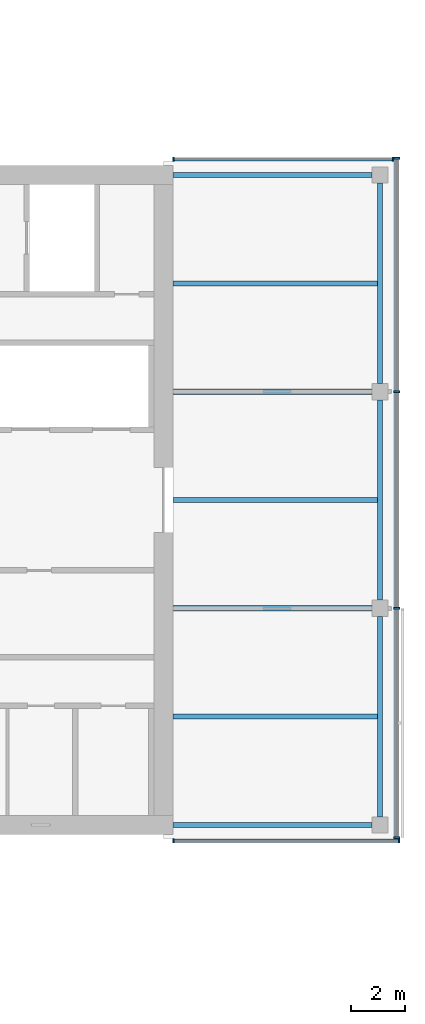
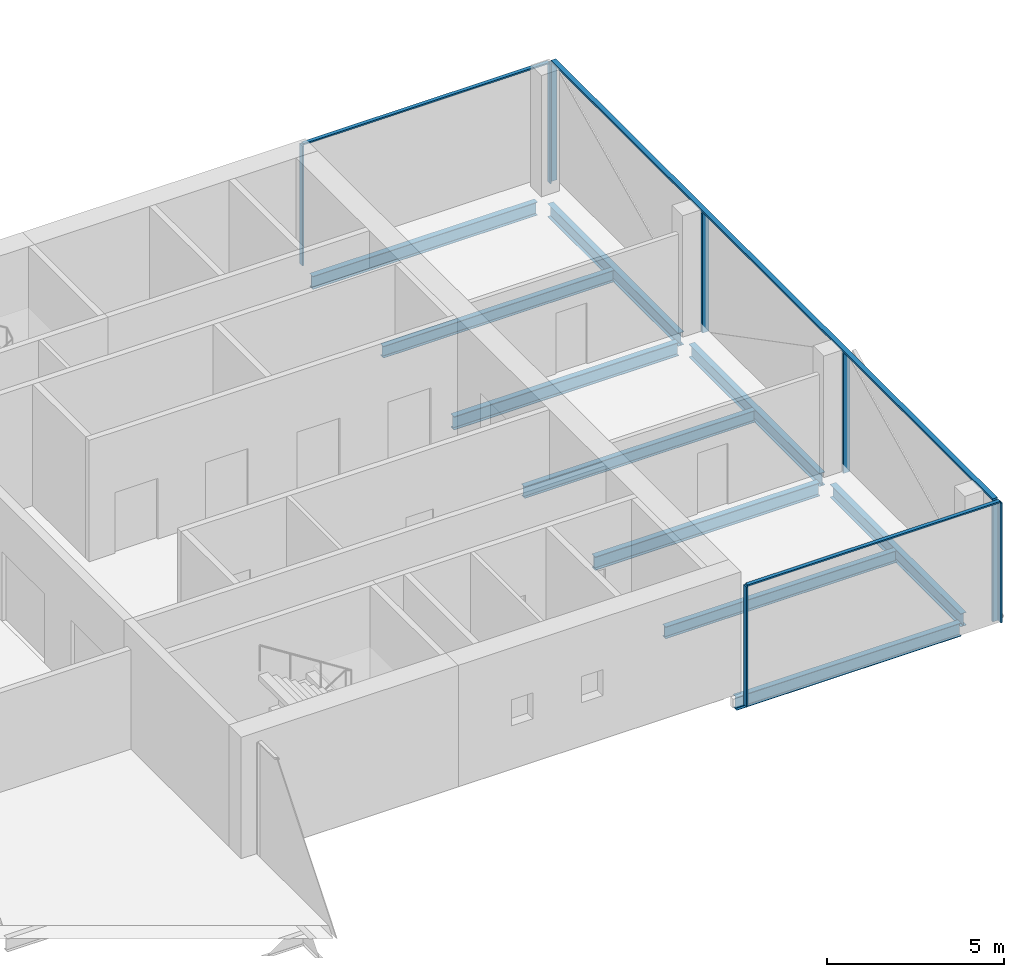
# One storey, part 11 of 22: 11 members, 10 beams, 3 elements without a shape of their own.
"""IFC4 building model written with IfcOpenShell, lengths in metres."""

import ifcopenshell
import ifcopenshell.guid

model = None  # the IFC model being written
_history = None  # IfcOwnerHistory: only IFC2X3 demands one
_inside = {}  # id of a spatial element -> (the spatial element, [elements in it])
_under = {}  # id of a project, library or spatial element -> (it, [spatial elements below it])
_declared = {}  # id of a project -> (the project, [libraries it declares])
_typed = {}  # id of a type object -> (the type object, [elements of that type])
_made_of = {}  # id of a material, layer set ... -> (it, [elements and type objects made of it])


def new_model(schema):
    """Start an empty IFC model of exactly this schema.

    Asked for "IFC4X3", IfcOpenShell would pick the latest addendum, in which some entities
    have other attributes; the version numbers below select the first issue.
    IFC2X3 requires an IfcOwnerHistory on every rooted entity: one is made here for all.
    """
    global model, _history
    if schema == "IFC4X3":
        model = ifcopenshell.file(schema_version=(4, 3, 0, 0))
    else:
        model = ifcopenshell.file(schema=schema)
    _inside.clear()
    _under.clear()
    _declared.clear()
    _typed.clear()
    _made_of.clear()
    _history = None
    if model.schema == "IFC2X3":
        org = make("IfcOrganization", Name="unknown")
        user = make(
            "IfcPersonAndOrganization",
            ThePerson=make("IfcPerson", FamilyName="unknown"),
            TheOrganization=org,
        )
        app = make(
            "IfcApplication",
            ApplicationDeveloper=org,
            Version="unknown",
            ApplicationFullName="unknown",
            ApplicationIdentifier="unknown",
        )
        _history = make(
            "IfcOwnerHistory",
            OwningUser=user,
            OwningApplication=app,
            ChangeAction="ADDED",
            CreationDate=0,
        )
    return model


def make(cls, **values):
    """One entity of the class cls with the attributes given. An attribute that is None is left unset."""
    return model.create_entity(
        cls, **{name: value for name, value in values.items() if value is not None}
    )


def rooted(cls, **values):
    """An entity with a GlobalId (a new one), such as an element, a storey or a relation."""
    return make(cls, GlobalId=ifcopenshell.guid.new(), OwnerHistory=_history, **values)


def si_unit(unit_type, name, prefix=None):
    """IfcSIUnit, for example si_unit("LENGTHUNIT", "METRE", prefix="MILLI")."""
    return make("IfcSIUnit", UnitType=unit_type, Prefix=prefix, Name=name)


def assignment(units):
    """IfcUnitAssignment: the units of a project."""
    return None if units is None else make("IfcUnitAssignment", Units=units)


def point(xyz):
    """IfcCartesianPoint."""
    return None if xyz is None else make("IfcCartesianPoint", Coordinates=xyz)


def direction(xyz):
    """IfcDirection."""
    return None if xyz is None else make("IfcDirection", DirectionRatios=xyz)


def frame(location, z_axis=None, x_axis=None):
    """IfcAxis2Placement3D, a coordinate frame: its origin and axes. An axis left out is left unset."""
    return make(
        "IfcAxis2Placement3D",
        Location=point(location),
        Axis=direction(z_axis),
        RefDirection=direction(x_axis),
    )


def frame_2d(location, x_axis=None):
    """IfcAxis2Placement2D, a coordinate frame in the plane: its origin and x axis."""
    return make(
        "IfcAxis2Placement2D", Location=point(location), RefDirection=direction(x_axis)
    )


def origin():
    """The frame at (0, 0, 0) with its axes left unset."""
    return frame((0.0, 0.0, 0.0))


def origin_2d():
    """The frame at (0, 0) in the plane with its x axis left unset."""
    return frame_2d((0.0, 0.0))


def place(relative_to, where):
    """IfcLocalPlacement: puts the frame where relative to a parent placement (None: the world)."""
    return make(
        "IfcLocalPlacement", PlacementRelTo=relative_to, RelativePlacement=where
    )


def context(
    kind, dimensions, precision=None, world=None, true_north=None, identifier=None
):
    """IfcGeometricRepresentationContext, for example the 3D "Model" context."""
    return make(
        "IfcGeometricRepresentationContext",
        ContextIdentifier=identifier,
        ContextType=kind,
        CoordinateSpaceDimension=dimensions,
        Precision=precision,
        WorldCoordinateSystem=world,
        TrueNorth=true_north,
    )


def subcontext(parent, identifier, kind, view, scale=None):
    """IfcGeometricRepresentationSubContext, for example "Body" below "Model"."""
    return make(
        "IfcGeometricRepresentationSubContext",
        ContextIdentifier=identifier,
        ContextType=kind,
        ParentContext=parent,
        TargetScale=scale,
        TargetView=view,
    )


def project(units=None, contexts=None):
    """IfcProject with its units and contexts."""
    return rooted(
        "IfcProject",
        Name="project",
        RepresentationContexts=contexts,
        UnitsInContext=assignment(units),
    )


def spatial(cls, under=None, at=None, **own):
    """A site, building, storey or space (cls), placed at a placement, below another one or the project."""
    s = rooted(cls, ObjectPlacement=at, **own)
    if under is not None:
        _under.setdefault(under.id(), (under, []))[1].append(s)
    return s


def profile(cls, at=None, kind="AREA", **sizes):
    """A parametric profile (cls). Its sizes go by their IFC names, for example OverallWidth=200.0."""
    return make(cls, ProfileType=kind, Position=at, **sizes)


def rectangle(**sizes):
    """IfcRectangleProfileDef."""
    return profile("IfcRectangleProfileDef", **sizes)


def i_section(**sizes):
    """IfcIShapeProfileDef."""
    return profile("IfcIShapeProfileDef", **sizes)


def extrude(swept, where, along, depth):
    """IfcExtrudedAreaSolid: the profile swept, set in the frame where, extruded along a direction by depth."""
    return make(
        "IfcExtrudedAreaSolid",
        SweptArea=swept,
        Position=where,
        ExtrudedDirection=direction(along),
        Depth=depth,
    )


def shape(context_of_items, identifier, shape_type, items):
    """IfcShapeRepresentation: the items that make up one representation, for example the "Body"."""
    return make(
        "IfcShapeRepresentation",
        ContextOfItems=context_of_items,
        RepresentationIdentifier=identifier,
        RepresentationType=shape_type,
        Items=items,
    )


def material(Name=None, Category=None):
    """IfcMaterial."""
    return make("IfcMaterial", Name=Name, Category=Category)


def material_profile(
    of_material, cross_section, Name=None, Category=None, Priority=None
):
    """IfcMaterialProfile: a cross section and its material."""
    return make(
        "IfcMaterialProfile",
        Name=Name,
        Material=of_material,
        Profile=cross_section,
        Priority=Priority,
        Category=Category,
    )


def profile_set(profiles, Name=None, composite=None):
    """IfcMaterialProfileSet."""
    return make(
        "IfcMaterialProfileSet",
        Name=Name,
        MaterialProfiles=profiles,
        CompositeProfile=composite,
    )


def made_of(thing, what):
    """Note that an element or type object is made of a material, layer set ...; save() writes the relation."""
    if what is not None:
        _made_of.setdefault(what.id(), (what, []))[1].append(thing)
    return thing


def type_object(cls, material=None, **own):
    """A type object (cls), such as IfcWallType, which elements share."""
    return made_of(rooted(cls, **own), material)


def element(
    cls,
    number,
    at=None,
    inside=None,
    cuts=None,
    type_object=None,
    material=None,
    context=None,
    identifier="Body",
    shape_type=None,
    held_by="IfcProductDefinitionShape",
    body=None,
    shapes=None,
    **own,
):
    """One element of the class cls, such as IfcWall. Its Tag is "e" and its number.

    at: its placement. inside: the storey or other place that contains it. cuts: it is an
    opening in that element (IfcRelVoidsElement). A single representation is given by context,
    identifier, shape_type and body (its items); several are given by shapes. held_by: the class
    of the entity that holds the representations. save() writes the other relations.
    """
    e = rooted(cls, Tag="e%d" % number, ObjectPlacement=at, **own)
    if body is not None:
        shapes = [shape(context, identifier, shape_type, body)]
    if shapes is not None:
        e.Representation = make(held_by, Representations=shapes)
    if inside is not None:
        _inside.setdefault(inside.id(), (inside, []))[1].append(e)
    if cuts is not None:
        rooted(
            "IfcRelVoidsElement", RelatingBuildingElement=cuts, RelatedOpeningElement=e
        )
    if type_object is not None:
        _typed.setdefault(type_object.id(), (type_object, []))[1].append(e)
    return made_of(e, material)


def aggregate(whole, parts):
    """IfcRelAggregates: a whole, such as a stair, and the parts it consists of."""
    return rooted("IfcRelAggregates", RelatingObject=whole, RelatedObjects=parts)


def save(model, path):
    """Write the relations noted so far, then the file.

    IfcRelAggregates (storeys below a building ...), IfcRelContainedInSpatialStructure (elements
    in a storey), IfcRelDefinesByType, IfcRelAssociatesMaterial and IfcRelDeclares: one each for
    every whole, place, type object, material and project.
    """
    for whole, parts in _under.values():
        aggregate(whole, parts)
    for where, things in _inside.values():
        rooted(
            "IfcRelContainedInSpatialStructure",
            RelatedElements=things,
            RelatingStructure=where,
        )
    for kind, things in _typed.values():
        rooted("IfcRelDefinesByType", RelatedObjects=things, RelatingType=kind)
    for what, things in _made_of.values():
        rooted("IfcRelAssociatesMaterial", RelatedObjects=things, RelatingMaterial=what)
    for by, libraries in _declared.values():
        rooted("IfcRelDeclares", RelatingContext=by, RelatedDefinitions=libraries)
    model.write(path)


model = new_model("IFC4")

# Units and contexts
model_context = context("Model", 3, precision=1e-05, world=origin(), true_north=direction((0.0, 1.0)))
body_context = subcontext(model_context, "Body", "Model", "MODEL_VIEW")
ifc_project = project(units=[si_unit("LENGTHUNIT", "METRE"), si_unit("AREAUNIT", "SQUARE_METRE"), si_unit("VOLUMEUNIT", "CUBIC_METRE"), si_unit("PLANEANGLEUNIT", "RADIAN"), si_unit("MASSUNIT", "GRAM", prefix="KILO")], contexts=[model_context])

# Site, building, storey
site_placement = place(None, origin())
site = spatial("IfcSite", under=ifc_project, at=site_placement, CompositionType="ELEMENT")
building_placement = place(site_placement, origin())
building = spatial("IfcBuilding", under=site, at=building_placement, Name="Crosswind Convention Tower", CompositionType="ELEMENT")
storey_placement = place(building_placement, frame((0.0, 0.0, 150.5)))
storey = spatial("IfcBuildingStorey", under=building, at=storey_placement, Name="L31", CompositionType="ELEMENT", Elevation=150.5)

# Beams
ifc_material_1 = material(Name="Steel S355", Category="steel")
ifc_material_profile_1 = material_profile(ifc_material_1, i_section(OverallWidth=0.18994140625, OverallDepth=0.45361328125, WebThickness=0.008544921875, FlangeThickness=0.0126953125, FilletRadius=0.01025390625, at=origin_2d()), Name="UB 457x191x67")
ifc_profile_set_1 = profile_set([ifc_material_profile_1], Name="Steel S355")
beam_type_1 = type_object("IfcBeamType", Name="Edge beam UB 457x191x67", PredefinedType="SPANDREL", material=ifc_profile_set_1)
for number, where, z_axis, x_axis, name in (
    (1, (153.35009765625, 88.0, -0.52685546875), (1.0, 0.0, 0.0), (0.0, 1.0, 0.0), "B16 L31 edge beam 20"),
    (2, (153.35009765625, 112.0, -0.52685546875), (1.0, 0.0, 0.0), (0.0, 1.0, 0.0), "B16 L31 edge beam 21"),
):
    element("IfcBeam", number, at=place(storey_placement, frame(where, z_axis=z_axis, x_axis=x_axis)), inside=storey, type_object=beam_type_1, Name=name, PredefinedType="SPANDREL", context=body_context, shape_type="SweptSolid", body=[
        extrude(i_section(OverallWidth=0.18994140625, OverallDepth=0.45361328125, WebThickness=0.008544921875, FlangeThickness=0.0126953125, FilletRadius=0.01025390625, at=origin_2d()), origin(), (0.0, 0.0, 1.0), 7.349853515625),
    ])
for number, where, z_axis, x_axis, name in (
    (3, (161.0, 88.300048828125, -0.52685546875), (0.0, 1.0, 0.0), (-1.0, 0.0, 0.0), "B16 L31 edge beam 22"),
    (4, (161.0, 96.300048828125, -0.52685546875), (0.0, 1.0, 0.0), (-1.0, 0.0, 0.0), "B16 L31 edge beam 23"),
    (5, (161.0, 104.300048828125, -0.52685546875), (0.0, 1.0, 0.0), (-1.0, 0.0, 0.0), "B16 L31 edge beam 24"),
):
    element("IfcBeam", number, at=place(storey_placement, frame(where, z_axis=z_axis, x_axis=x_axis)), inside=storey, type_object=beam_type_1, Name=name, PredefinedType="SPANDREL", context=body_context, shape_type="SweptSolid", body=[
        extrude(i_section(OverallWidth=0.18994140625, OverallDepth=0.45361328125, WebThickness=0.008544921875, FlangeThickness=0.0126953125, FilletRadius=0.01025390625, at=origin_2d()), origin(), (0.0, 0.0, 1.0), 7.39990234375),
    ])
ifc_material_profile_2 = material_profile(ifc_material_1, i_section(OverallWidth=0.19189453125, OverallDepth=0.463623046875, WebThickness=0.010498046875, FlangeThickness=0.017578125, FilletRadius=0.01025390625, at=origin_2d()), Name="UB 457x191x90")
ifc_profile_set_2 = profile_set([ifc_material_profile_2], Name="Steel S355")
beam_type_2 = type_object("IfcBeamType", Name="Girder at core wall UB 457x191x90", PredefinedType="BEAM", material=ifc_profile_set_2)
for number, where, z_axis, x_axis, name in (
    (6, (153.35009765625, 96.0, -0.53173828125), (1.0, 0.0, 0.0), (0.0, 1.0, 0.0), "B24 L31 girder at core wall 11"),
    (7, (153.35009765625, 104.0, -0.53173828125), (1.0, 0.0, 0.0), (0.0, 1.0, 0.0), "B24 L31 girder at core wall 12"),
):
    element("IfcBeam", number, at=place(storey_placement, frame(where, z_axis=z_axis, x_axis=x_axis)), inside=storey, type_object=beam_type_2, Name=name, PredefinedType="BEAM", context=body_context, shape_type="SweptSolid", body=[
        extrude(i_section(OverallWidth=0.19189453125, OverallDepth=0.463623046875, WebThickness=0.010498046875, FlangeThickness=0.017578125, FilletRadius=0.01025390625, at=origin_2d()), origin(), (0.0, 0.0, 1.0), 7.349853515625),
    ])

# Curtain wall, members
ifc_material_2 = material(Name="Aluminium unitised curtain wall", Category="aluminium")
curtain_wall_type_1 = type_object("IfcCurtainWallType", Name="CORE END SLOT WALL 160", PredefinedType="USERDEFINED", material=ifc_material_2)
curtain_wall_1_placement = place(storey_placement, origin())
curtain_wall_1 = element("IfcCurtainWall", 8, at=curtain_wall_1_placement, inside=storey, type_object=curtain_wall_type_1, Name="CW6 L31 E-N.1-1 slot", ObjectType="UNITISED", PredefinedType="USERDEFINED")
ifc_material_3 = material(Name="Aluminium mullion", Category="aluminium")
ifc_material_profile_3 = material_profile(ifc_material_3, rectangle(XDim=0.159912109375, YDim=0.050048828125, at=origin_2d()), Name="AL 160X50")
ifc_profile_set_3 = profile_set([ifc_material_profile_3], Name="Aluminium mullion")
member_type_1 = type_object("IfcMemberType", Name="MULLION 50X160", PredefinedType="MULLION", material=ifc_profile_set_3)
member_1_placement = place(storey_placement, frame((161.47509765625, 112.580078125, -0.300048828125), z_axis=(0.0, 0.0, 1.0), x_axis=(0.0, 1.0, 0.0)))
member_1 = element("IfcMember", 9, at=member_1_placement, type_object=member_type_1, Name="CW6 mullion 1", PredefinedType="MULLION", context=body_context, shape_type="SweptSolid", body=[
    extrude(rectangle(XDim=0.159912109375, YDim=0.050048828125, at=origin_2d()), origin(), (0.0, 0.0, 1.0), 4.150146484375),
])
member_2_placement = place(storey_placement, frame((153.375, 112.580078125, -0.300048828125), z_axis=(0.0, 0.0, 1.0), x_axis=(0.0, 1.0, 0.0)))
member_2 = element("IfcMember", 10, at=member_2_placement, type_object=member_type_1, Name="CW6 mullion 2", PredefinedType="MULLION", context=body_context, shape_type="SweptSolid", body=[
    extrude(rectangle(XDim=0.159912109375, YDim=0.050048828125, at=origin_2d()), origin(), (0.0, 0.0, 1.0), 4.150146484375),
])

curtain_wall_2_placement = place(storey_placement, origin())
curtain_wall_2 = element("IfcCurtainWall", 11, at=curtain_wall_2_placement, inside=storey, type_object=curtain_wall_type_1, Name="CW6 L31 E-S.2-1 slot", ObjectType="UNITISED", PredefinedType="USERDEFINED")
member_3_placement = place(storey_placement, frame((153.375, 87.419921875, -0.300048828125), z_axis=(0.0, 0.0, 1.0), x_axis=(0.0, -1.0, 0.0)))
member_3 = element("IfcMember", 12, at=member_3_placement, type_object=member_type_1, Name="CW6 mullion 1", PredefinedType="MULLION", context=body_context, shape_type="SweptSolid", body=[
    extrude(rectangle(XDim=0.159912109375, YDim=0.050048828125, at=origin_2d()), origin(), (0.0, 0.0, 1.0), 4.150146484375),
])
member_4_placement = place(storey_placement, frame((161.695068359375, 87.419921875, -0.300048828125), z_axis=(0.0, 0.0, 1.0), x_axis=(0.0, -1.0, 0.0)))
member_4 = element("IfcMember", 13, at=member_4_placement, type_object=member_type_1, Name="CW6 mullion 2", PredefinedType="MULLION", context=body_context, shape_type="SweptSolid", body=[
    extrude(rectangle(XDim=0.159912109375, YDim=0.050048828125, at=origin_2d()), origin(), (0.0, 0.0, 1.0), 4.150146484375),
])

curtain_wall_type_2 = type_object("IfcCurtainWallType", Name="OFFICE UNITISED WALL 220", PredefinedType="USERDEFINED", material=ifc_material_2)
curtain_wall_3_placement = place(storey_placement, origin())
curtain_wall_3 = element("IfcCurtainWall", 14, at=curtain_wall_3_placement, inside=storey, type_object=curtain_wall_type_2, Name="CW3 L31 E-TIP 1", ObjectType="UNITISED", PredefinedType="USERDEFINED")
ifc_material_profile_4 = material_profile(ifc_material_3, rectangle(XDim=0.219970703125, YDim=0.070068359375, at=origin_2d()), Name="AL 220X70")
ifc_profile_set_4 = profile_set([ifc_material_profile_4], Name="Aluminium mullion")
member_type_2 = type_object("IfcMemberType", Name="MULLION 70X220", PredefinedType="MULLION", material=ifc_profile_set_4)
member_5_placement = place(storey_placement, frame((161.610107421875, 87.534912109375, -0.300048828125), z_axis=(0.0, 0.0, 1.0), x_axis=(1.0, 0.0, 0.0)))
member_5 = element("IfcMember", 15, at=member_5_placement, type_object=member_type_2, Name="CW3 mullion 1", PredefinedType="MULLION", context=body_context, shape_type="SweptSolid", body=[
    extrude(rectangle(XDim=0.219970703125, YDim=0.070068359375, at=origin_2d()), origin(), (0.0, 0.0, 1.0), 4.130126953125),
])
member_6_placement = place(storey_placement, frame((161.610107421875, 96.0, -0.300048828125), z_axis=(0.0, 0.0, 1.0), x_axis=(1.0, 0.0, 0.0)))
member_6 = element("IfcMember", 16, at=member_6_placement, type_object=member_type_2, Name="CW3 mullion 2", PredefinedType="MULLION", context=body_context, shape_type="SweptSolid", body=[
    extrude(rectangle(XDim=0.219970703125, YDim=0.070068359375, at=origin_2d()), origin(), (0.0, 0.0, 1.0), 4.130126953125),
])
member_7_placement = place(storey_placement, frame((161.610107421875, 104.0, -0.300048828125), z_axis=(0.0, 0.0, 1.0), x_axis=(1.0, 0.0, 0.0)))
member_7 = element("IfcMember", 17, at=member_7_placement, type_object=member_type_2, Name="CW3 mullion 3", PredefinedType="MULLION", context=body_context, shape_type="SweptSolid", body=[
    extrude(rectangle(XDim=0.219970703125, YDim=0.070068359375, at=origin_2d()), origin(), (0.0, 0.0, 1.0), 4.130126953125),
])
member_8_placement = place(storey_placement, frame((161.610107421875, 112.625, -0.300048828125), z_axis=(0.0, 0.0, 1.0), x_axis=(1.0, 0.0, 0.0)))
member_8 = element("IfcMember", 18, at=member_8_placement, type_object=member_type_2, Name="CW3 mullion 4", PredefinedType="MULLION", context=body_context, shape_type="SweptSolid", body=[
    extrude(rectangle(XDim=0.219970703125, YDim=0.070068359375, at=origin_2d()), origin(), (0.0, 0.0, 1.0), 4.130126953125),
])

# Beams
ifc_material_profile_5 = material_profile(ifc_material_1, i_section(OverallWidth=0.177734375, OverallDepth=0.406494140625, WebThickness=0.0078125, FlangeThickness=0.0126953125, FilletRadius=0.01025390625, at=origin_2d()), Name="UB 406x178x60")
ifc_profile_set_5 = profile_set([ifc_material_profile_5], Name="Steel S355")
beam_type_3 = type_object("IfcBeamType", Name="Secondary beam UB 406x178x60", PredefinedType="JOIST", material=ifc_profile_set_5)
for number, where, z_axis, x_axis, name in (
    (19, (153.35009765625, 92.0, -0.503173828125), (1.0, 0.0, 0.0), (0.0, 1.0, 0.0), "B10 L31 secondary beam 25"),
    (20, (153.35009765625, 100.0, -0.503173828125), (1.0, 0.0, 0.0), (0.0, 1.0, 0.0), "B10 L31 secondary beam 26"),
    (21, (153.35009765625, 108.0, -0.503173828125), (1.0, 0.0, 0.0), (0.0, 1.0, 0.0), "B10 L31 secondary beam 27"),
):
    element("IfcBeam", number, at=place(storey_placement, frame(where, z_axis=z_axis, x_axis=x_axis)), inside=storey, type_object=beam_type_3, Name=name, PredefinedType="JOIST", context=body_context, shape_type="SweptSolid", body=[
        extrude(i_section(OverallWidth=0.177734375, OverallDepth=0.406494140625, WebThickness=0.0078125, FlangeThickness=0.0126953125, FilletRadius=0.01025390625, at=origin_2d()), origin(), (0.0, 0.0, 1.0), 7.554931640625),
    ])

# Member
ifc_material_4 = material(Name="Aluminium transom", Category="aluminium")
ifc_material_profile_6 = material_profile(ifc_material_4, rectangle(XDim=0.1201171875, YDim=0.050048828125, at=origin_2d()), Name="AL 120X50")
ifc_profile_set_6 = profile_set([ifc_material_profile_6], Name="Aluminium transom")
member_type_3 = type_object("IfcMemberType", Name="TRANSOM 50X120", PredefinedType="USERDEFINED", material=ifc_profile_set_6)
member_9_placement = place(storey_placement, frame((161.449951171875, 112.580078125, 3.875), z_axis=(-1.0, 0.0, 0.0), x_axis=(0.0, -1.0, 0.0)))
member_9 = element("IfcMember", 22, at=member_9_placement, type_object=member_type_3, Name="CW6 transom", ObjectType="TRANSOM", PredefinedType="USERDEFINED", context=body_context, shape_type="SweptSolid", body=[
    extrude(rectangle(XDim=0.1201171875, YDim=0.050048828125, at=origin_2d()), origin(), (0.0, 0.0, 1.0), 8.050048828125),
])

aggregate(curtain_wall_1, [member_1, member_2, member_9])

member_10_placement = place(storey_placement, frame((153.39990234375, 87.419921875, 3.875), z_axis=(1.0, 0.0, 0.0), x_axis=(0.0, 1.0, 0.0)))
member_10 = element("IfcMember", 23, at=member_10_placement, type_object=member_type_3, Name="CW6 transom", ObjectType="TRANSOM", PredefinedType="USERDEFINED", context=body_context, shape_type="SweptSolid", body=[
    extrude(rectangle(XDim=0.1201171875, YDim=0.050048828125, at=origin_2d()), origin(), (0.0, 0.0, 1.0), 8.27001953125),
])

aggregate(curtain_wall_2, [member_3, member_4, member_10])

ifc_material_profile_7 = material_profile(ifc_material_4, rectangle(XDim=0.159912109375, YDim=0.070068359375, at=origin_2d()), Name="AL 160X70")
ifc_profile_set_7 = profile_set([ifc_material_profile_7], Name="Aluminium transom")
member_type_4 = type_object("IfcMemberType", Name="TRANSOM 70X160", PredefinedType="USERDEFINED", material=ifc_profile_set_7)
member_11_placement = place(storey_placement, frame((161.610107421875, 87.570068359375, 3.864990234375), z_axis=(0.0, 1.0, 0.0), x_axis=(-1.0, 0.0, 0.0)))
member_11 = element("IfcMember", 24, at=member_11_placement, type_object=member_type_4, Name="CW3 transom", ObjectType="TRANSOM", PredefinedType="USERDEFINED", context=body_context, shape_type="SweptSolid", body=[
    extrude(rectangle(XDim=0.159912109375, YDim=0.070068359375, at=origin_2d()), origin(), (0.0, 0.0, 1.0), 25.02001953125),
])

aggregate(curtain_wall_3, [member_5, member_6, member_7, member_8, member_11])

save(model, "model.ifc")
